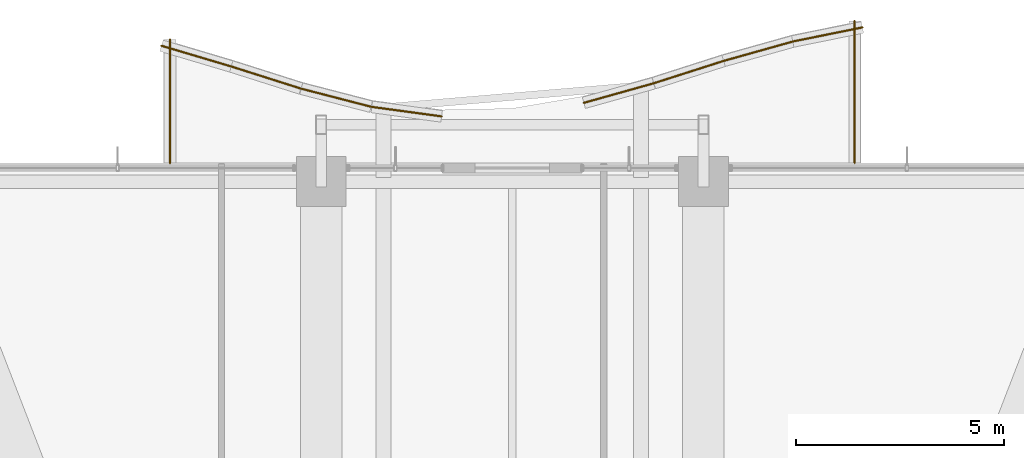
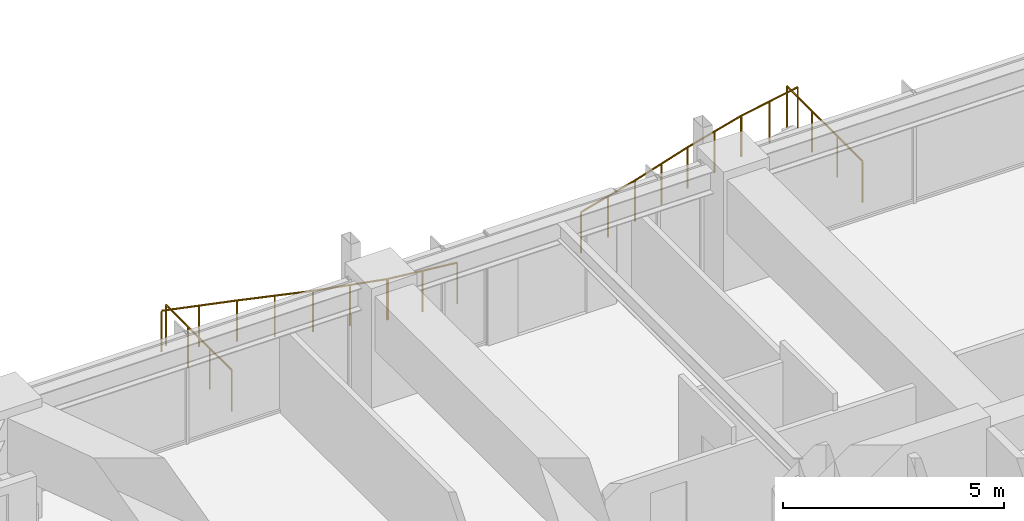
# One storey, part 37 of 37: 10 railings.
"""IFC4 building model written with IfcOpenShell, lengths in metres."""

from ifc_helpers import new_model, si_unit, direction, frame, origin, origin_2d, place, context, subcontext, project, spatial, circle, extrude, material, type_object, element, save


model = new_model("IFC4")

# Units and contexts
model_context = context("Model", 3, precision=1e-05, world=origin(), true_north=direction((0.0, 1.0)))
body_context = subcontext(model_context, "Body", "Model", "MODEL_VIEW")
ifc_project = project(units=[si_unit("LENGTHUNIT", "METRE"), si_unit("AREAUNIT", "SQUARE_METRE"), si_unit("VOLUMEUNIT", "CUBIC_METRE"), si_unit("PLANEANGLEUNIT", "RADIAN"), si_unit("MASSUNIT", "GRAM", prefix="KILO")], contexts=[model_context])

# Site, building, storey
site_placement = place(None, origin())
site = spatial("IfcSite", under=ifc_project, at=site_placement, CompositionType="ELEMENT")
building_placement = place(site_placement, origin())
building = spatial("IfcBuilding", under=site, at=building_placement, Name="Kolvaren Belvedere", CompositionType="ELEMENT")
storey_placement = place(building_placement, frame((0.0, 0.0, 43.60009765625)))
storey = spatial("IfcBuildingStorey", under=building, at=storey_placement, Name="L12", CompositionType="ELEMENT", Elevation=43.60009765625)

# Railings
ifc_material = material(Name="Anodised pale-metal aluminium & laminated glass guard", Category="aluminium")
railing_type = type_object("IfcRailingType", Name="RL-GUARD-1150", PredefinedType="GUARDRAIL", material=ifc_material)
railing_1_placement = place(storey_placement, frame((8.239990234375, 22.0, 0.35986328125)))
element("IfcRailing", 1, at=railing_1_placement, inside=storey, type_object=railing_type, Name="L12 Exterior Deck Safety Guard BAL-N-11", PredefinedType="GUARDRAIL", context=body_context, shape_type="SweptSolid", body=[
    extrude(circle(Radius=0.02392578125, at=origin_2d()), frame((0.0, 0.0, 1.1259765625), z_axis=(0.0, 1.0, 0.0), x_axis=(-1.0, 0.0, 0.0)), (0.0, 0.0, 1.0), 3.419921875),
    extrude(circle(Radius=0.02099609375, at=origin_2d()), origin(), (0.0, 0.0, 1.0), 1.101806640625),
    extrude(circle(Radius=0.02099609375, at=origin_2d()), frame((0.0, 1.139892578125, 0.0)), (0.0, 0.0, 1.0), 1.101806640625),
    extrude(circle(Radius=0.02099609375, at=origin_2d()), frame((0.0, 2.280029296875, 0.0)), (0.0, 0.0, 1.0), 1.101806640625),
    extrude(circle(Radius=0.02099609375, at=origin_2d()), frame((0.0, 3.419921875, 0.0)), (0.0, 0.0, 1.0), 1.101806640625),
])
railing_2_placement = place(storey_placement, frame((8.431884765625, 25.26318359375, 0.35986328125)))
element("IfcRailing", 2, at=railing_2_placement, inside=storey, type_object=railing_type, Name="L12 Exterior Deck Safety Guard BAL-N-12", PredefinedType="GUARDRAIL", context=body_context, shape_type="SweptSolid", body=[
    extrude(circle(Radius=0.02392578125, at=origin_2d()), frame((0.0, 0.0, 1.1259765625), z_axis=(-0.980067977123, -0.198662427795, 0.0), x_axis=(0.198662427795, -0.980067977123, 0.0)), (0.0, 0.0, 1.0), 1.71435546875),
    extrude(circle(Radius=0.02099609375, at=origin_2d()), origin(), (0.0, 0.0, 1.0), 1.101806640625),
    extrude(circle(Radius=0.02099609375, at=origin_2d()), frame((-0.840087890625, -0.17041015625, 0.0)), (0.0, 0.0, 1.0), 1.101806640625),
    extrude(circle(Radius=0.02099609375, at=origin_2d()), frame((-1.68017578125, -0.340576171875, 0.0)), (0.0, 0.0, 1.0), 1.101806640625),
])
railing_3_placement = place(storey_placement, frame((6.76318359375, 24.92529296875, 0.35986328125)))
element("IfcRailing", 3, at=railing_3_placement, inside=storey, type_object=railing_type, Name="L12 Exterior Deck Safety Guard BAL-N-13", PredefinedType="GUARDRAIL", context=body_context, shape_type="SweptSolid", body=[
    extrude(circle(Radius=0.02392578125, at=origin_2d()), frame((0.0, 0.0, 1.1259765625), z_axis=(-0.962916043401, -0.269801210823, 0.0), x_axis=(0.269801210823, -0.962916043401, 0.0)), (0.0, 0.0, 1.0), 1.74462890625),
    extrude(circle(Radius=0.02099609375, at=origin_2d()), origin(), (0.0, 0.0, 1.0), 1.101806640625),
    extrude(circle(Radius=0.02099609375, at=origin_2d()), frame((-0.83984375, -0.2353515625, 0.0)), (0.0, 0.0, 1.0), 1.101806640625),
    extrude(circle(Radius=0.02099609375, at=origin_2d()), frame((-1.679931640625, -0.470703125, 0.0)), (0.0, 0.0, 1.0), 1.101806640625),
])
railing_4_placement = place(storey_placement, frame((5.088623046875, 24.456298828125, 0.35986328125)))
element("IfcRailing", 4, at=railing_4_placement, inside=storey, type_object=railing_type, Name="L12 Exterior Deck Safety Guard BAL-N-14", PredefinedType="GUARDRAIL", context=body_context, shape_type="SweptSolid", body=[
    extrude(circle(Radius=0.02392578125, at=origin_2d()), frame((0.0, 0.0, 1.1259765625), z_axis=(-0.952461105499, -0.304660208284, 0.0), x_axis=(0.304660208284, -0.952461105499, 0.0)), (0.0, 0.0, 1.0), 1.763671875),
    extrude(circle(Radius=0.02099609375, at=origin_2d()), origin(), (0.0, 0.0, 1.0), 1.101806640625),
    extrude(circle(Radius=0.02099609375, at=origin_2d()), frame((-0.83984375, -0.2685546875, 0.0)), (0.0, 0.0, 1.0), 1.101806640625),
    extrude(circle(Radius=0.02099609375, at=origin_2d()), frame((-1.679931640625, -0.537353515625, 0.0)), (0.0, 0.0, 1.0), 1.101806640625),
])
railing_5_placement = place(storey_placement, frame((3.4033203125, 23.917236328125, 0.35986328125)))
element("IfcRailing", 5, at=railing_5_placement, inside=storey, type_object=railing_type, Name="L12 Exterior Deck Safety Guard BAL-N-15", PredefinedType="GUARDRAIL", context=body_context, shape_type="SweptSolid", body=[
    extrude(circle(Radius=0.02392578125, at=origin_2d()), frame((0.0, 0.0, 1.1259765625), z_axis=(-0.962926227834, -0.269764860108, 0.0), x_axis=(0.269764860108, -0.962926227834, 0.0)), (0.0, 0.0, 1.0), 1.744873046875),
    extrude(circle(Radius=0.02099609375, at=origin_2d()), origin(), (0.0, 0.0, 1.0), 1.101806640625),
    extrude(circle(Radius=0.02099609375, at=origin_2d()), frame((-0.840087890625, -0.2353515625, 0.0)), (0.0, 0.0, 1.0), 1.101806640625),
    extrude(circle(Radius=0.02099609375, at=origin_2d()), frame((-1.68017578125, -0.470703125, 0.0)), (0.0, 0.0, 1.0), 1.101806640625),
])
railing_6_placement = place(storey_placement, frame((-1.70166015625, 23.12060546875, 0.35986328125)))
element("IfcRailing", 6, at=railing_6_placement, inside=storey, type_object=railing_type, Name="L12 Exterior Deck Safety Guard BAL-N-18", PredefinedType="GUARDRAIL", context=body_context, shape_type="SweptSolid", body=[
    extrude(circle(Radius=0.02392578125, at=origin_2d()), frame((0.0, 0.0, 1.1259765625), z_axis=(-0.990855562068, 0.134926850989, 0.0), x_axis=(-0.134926850989, -0.990855562068, 0.0)), (0.0, 0.0, 1.0), 1.695556640625),
    extrude(circle(Radius=0.02099609375, at=origin_2d()), origin(), (0.0, 0.0, 1.0), 1.101806640625),
    extrude(circle(Radius=0.02099609375, at=origin_2d()), frame((-0.83984375, 0.1142578125, 0.0)), (0.0, 0.0, 1.0), 1.101806640625),
    extrude(circle(Radius=0.02099609375, at=origin_2d()), frame((-1.679931640625, 0.228759765625, 0.0)), (0.0, 0.0, 1.0), 1.101806640625),
])
railing_7_placement = place(storey_placement, frame((-3.400146484375, 23.352783203125, 0.35986328125)))
element("IfcRailing", 7, at=railing_7_placement, inside=storey, type_object=railing_type, Name="L12 Exterior Deck Safety Guard BAL-N-19", PredefinedType="GUARDRAIL", context=body_context, shape_type="SweptSolid", body=[
    extrude(circle(Radius=0.02392578125, at=origin_2d()), frame((0.0, 0.0, 1.1259765625), z_axis=(-0.968098088289, 0.25057152961, 0.0), x_axis=(-0.25057152961, -0.968098088289, 0.0)), (0.0, 0.0, 1.0), 1.7353515625),
    extrude(circle(Radius=0.02099609375, at=origin_2d()), origin(), (0.0, 0.0, 1.0), 1.101806640625),
    extrude(circle(Radius=0.02099609375, at=origin_2d()), frame((-0.83984375, 0.21728515625, 0.0)), (0.0, 0.0, 1.0), 1.101806640625),
    extrude(circle(Radius=0.02099609375, at=origin_2d()), frame((-1.679931640625, 0.434814453125, 0.0)), (0.0, 0.0, 1.0), 1.101806640625),
])
railing_8_placement = place(storey_placement, frame((-5.08837890625, 23.789794921875, 0.35986328125)))
element("IfcRailing", 8, at=railing_8_placement, inside=storey, type_object=railing_type, Name="L12 Exterior Deck Safety Guard BAL-N-20", PredefinedType="GUARDRAIL", context=body_context, shape_type="SweptSolid", body=[
    extrude(circle(Radius=0.02392578125, at=origin_2d()), frame((0.0, 0.0, 1.1259765625), z_axis=(-0.953142020151, 0.302523204768, 0.0), x_axis=(-0.302523204768, -0.953142020151, 0.0)), (0.0, 0.0, 1.0), 1.762451171875),
    extrude(circle(Radius=0.02099609375, at=origin_2d()), origin(), (0.0, 0.0, 1.0), 1.101806640625),
    extrude(circle(Radius=0.02099609375, at=origin_2d()), frame((-0.83984375, 0.2666015625, 0.0)), (0.0, 0.0, 1.0), 1.101806640625),
    extrude(circle(Radius=0.02099609375, at=origin_2d()), frame((-1.679931640625, 0.533203125, 0.0)), (0.0, 0.0, 1.0), 1.101806640625),
])
railing_9_placement = place(storey_placement, frame((-6.765625, 24.322021484375, 0.35986328125)))
element("IfcRailing", 9, at=railing_9_placement, inside=storey, type_object=railing_type, Name="L12 Exterior Deck Safety Guard BAL-N-21", PredefinedType="GUARDRAIL", context=body_context, shape_type="SweptSolid", body=[
    extrude(circle(Radius=0.02392578125, at=origin_2d()), frame((0.0, 0.0, 1.1259765625), z_axis=(-0.95856309129, 0.284880325779, 0.0), x_axis=(-0.284880325779, -0.95856309129, 0.0)), (0.0, 0.0, 1.0), 1.75244140625),
    extrude(circle(Radius=0.02099609375, at=origin_2d()), origin(), (0.0, 0.0, 1.0), 1.101806640625),
    extrude(circle(Radius=0.02099609375, at=origin_2d()), frame((-0.83984375, 0.24951171875, 0.0)), (0.0, 0.0, 1.0), 1.101806640625),
    extrude(circle(Radius=0.02099609375, at=origin_2d()), frame((-1.679931640625, 0.499267578125, 0.0)), (0.0, 0.0, 1.0), 1.101806640625),
])
railing_10_placement = place(storey_placement, frame((-8.239990234375, 24.974853515625, 0.35986328125)))
element("IfcRailing", 10, at=railing_10_placement, inside=storey, type_object=railing_type, Name="L12 Exterior Deck Safety Guard BAL-N-22", PredefinedType="GUARDRAIL", context=body_context, shape_type="SweptSolid", body=[
    extrude(circle(Radius=0.02392578125, at=origin_2d()), frame((0.0, 0.0, 1.1259765625), z_axis=(0.0, -1.0, 0.0), x_axis=(1.0, 0.0, 0.0)), (0.0, 0.0, 1.0), 2.974853515625),
    extrude(circle(Radius=0.02099609375, at=origin_2d()), origin(), (0.0, 0.0, 1.0), 1.101806640625),
    extrude(circle(Radius=0.02099609375, at=origin_2d()), frame((0.0, -0.99169921875, 0.0)), (0.0, 0.0, 1.0), 1.101806640625),
    extrude(circle(Radius=0.02099609375, at=origin_2d()), frame((0.0, -1.983154296875, 0.0)), (0.0, 0.0, 1.0), 1.101806640625),
    extrude(circle(Radius=0.02099609375, at=origin_2d()), frame((0.0, -2.974853515625, 0.0)), (0.0, 0.0, 1.0), 1.101806640625),
])

save(model, "model.ifc")
